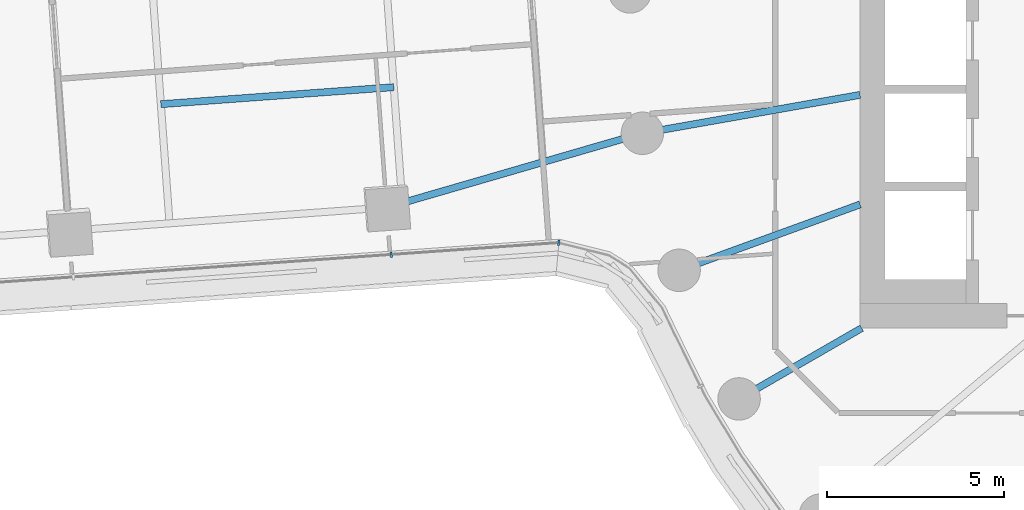
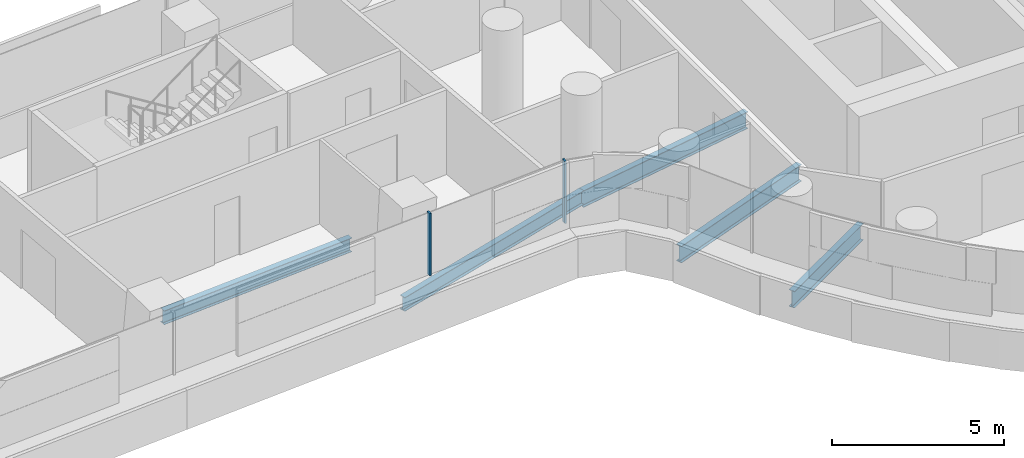
# One storey, part 5 of 31: 5 beams, 2 members, 2 elements without a shape of their own.
"""IFC4 building model written with IfcOpenShell, lengths in metres."""

from ifc_helpers import new_model, si_unit, direction, frame, origin, origin_2d, place, context, subcontext, project, spatial, rectangle, i_section, extrude, material, layer, layer_set, material_profile, profile_set, type_object, element, aggregate, save


model = new_model("IFC4")

# Units and contexts
model_context = context("Model", 3, precision=1e-05, world=origin(), true_north=direction((0.0, 1.0)))
body_context = subcontext(model_context, "Body", "Model", "MODEL_VIEW")
ifc_project = project(units=[si_unit("LENGTHUNIT", "METRE"), si_unit("AREAUNIT", "SQUARE_METRE"), si_unit("VOLUMEUNIT", "CUBIC_METRE"), si_unit("PLANEANGLEUNIT", "RADIAN"), si_unit("MASSUNIT", "GRAM", prefix="KILO")], contexts=[model_context])

# Site, building, storey
site_placement = place(None, origin())
site = spatial("IfcSite", under=ifc_project, at=site_placement, CompositionType="ELEMENT")
building_placement = place(site_placement, origin())
building = spatial("IfcBuilding", under=site, at=building_placement, Name="Tamarind Cross Interchange Tower", CompositionType="ELEMENT")
storey_placement = place(building_placement, frame((0.0, 0.0, 49.0)))
storey = spatial("IfcBuildingStorey", under=building, at=storey_placement, Name="L10", CompositionType="ELEMENT", Elevation=49.0)

# Beams
ifc_material_1 = material(Name="Steel Q355B", Category="steel")
ifc_material_profile_1 = material_profile(ifc_material_1, i_section(OverallWidth=0.198974609375, OverallDepth=0.49609375, WebThickness=0.009033203125, FlangeThickness=0.013916015625, FilletRadius=0.012939453125, at=origin_2d()), Name="HN 496x199x9x14")
ifc_profile_set_1 = profile_set([ifc_material_profile_1], Name="Steel Q355B")
beam_type_1 = type_object("IfcBeamType", Name="Composite beam HN 496x199x9x14 Q355B", PredefinedType="BEAM", material=ifc_profile_set_1)
beam_1_placement = place(storey_placement, frame((-29.877197265625, -6.09033203125, -0.387939453125), z_axis=(0.960403096334, 0.278614236089, 0.0), x_axis=(-0.278614236089, 0.960403096334, 0.0)))
element("IfcBeam", 1, at=beam_1_placement, inside=storey, type_object=beam_type_1, Name="Beam W-linkep", PredefinedType="BEAM", context=body_context, shape_type="SweptSolid", body=[
    extrude(i_section(OverallWidth=0.198974609375, OverallDepth=0.49609375, WebThickness=0.009033203125, FlangeThickness=0.013916015625, FilletRadius=0.012939453125, at=origin_2d()), origin(), (0.0, 0.0, 1.0), 7.5244140625),
])
beam_2_placement = place(storey_placement, frame((-29.67431640625, -2.69140625, -0.387939453125), z_axis=(-0.997341335164, -0.072871538843, 0.0), x_axis=(0.072871538843, -0.997341335164, 0.0)))
element("IfcBeam", 2, at=beam_2_placement, inside=storey, type_object=beam_type_1, Name="Beam W-stripp", PredefinedType="BEAM", context=body_context, shape_type="SweptSolid", body=[
    extrude(i_section(OverallWidth=0.198974609375, OverallDepth=0.49609375, WebThickness=0.009033203125, FlangeThickness=0.013916015625, FilletRadius=0.012939453125, at=origin_2d()), origin(), (0.0, 0.0, 1.0), 6.60009765625),
])
ifc_material_profile_2 = material_profile(ifc_material_1, i_section(OverallWidth=0.198974609375, OverallDepth=0.595947265625, WebThickness=0.010009765625, FlangeThickness=0.014892578125, FilletRadius=0.012939453125, at=origin_2d()), Name="HN 596x199x10x15")
ifc_profile_set_2 = profile_set([ifc_material_profile_2], Name="Steel Q355B")
beam_type_2 = type_object("IfcBeamType", Name="Composite beam HN 596x199x10x15 Q355B", PredefinedType="BEAM", material=ifc_profile_set_2)
beam_3_placement = place(storey_placement, frame((-22.650634765625, -3.993896484375, -0.43798828125), z_axis=(0.984809127561, 0.173640382036, 0.0), x_axis=(-0.173640382036, 0.984809127561, 0.0)))
element("IfcBeam", 3, at=beam_3_placement, inside=storey, type_object=beam_type_2, Name="Beam HH19", PredefinedType="BEAM", context=body_context, shape_type="SweptSolid", body=[
    extrude(i_section(OverallWidth=0.198974609375, OverallDepth=0.595947265625, WebThickness=0.010009765625, FlangeThickness=0.014892578125, FilletRadius=0.012939453125, at=origin_2d()), origin(), (0.0, 0.0, 1.0), 6.24560546875),
])
beam_4_placement = place(storey_placement, frame((-21.613037109375, -7.866455078125, -0.43798828125), z_axis=(0.939701685589, 0.341995236956, 0.0), x_axis=(-0.341995236956, 0.939701685589, 0.0)))
element("IfcBeam", 4, at=beam_4_placement, inside=storey, type_object=beam_type_2, Name="Beam HH20", PredefinedType="BEAM", context=body_context, shape_type="SweptSolid", body=[
    extrude(i_section(OverallWidth=0.198974609375, OverallDepth=0.595947265625, WebThickness=0.010009765625, FlangeThickness=0.014892578125, FilletRadius=0.012939453125, at=origin_2d()), origin(), (0.0, 0.0, 1.0), 5.441162109375),
])
beam_5_placement = place(storey_placement, frame((-19.918701171875, -11.5, -0.43798828125), z_axis=(0.866026010844, 0.49999894854, 0.0), x_axis=(-0.49999894854, 0.866026010844, 0.0)))
element("IfcBeam", 5, at=beam_5_placement, inside=storey, type_object=beam_type_2, Name="Beam HH21", PredefinedType="BEAM", context=body_context, shape_type="SweptSolid", body=[
    extrude(i_section(OverallWidth=0.198974609375, OverallDepth=0.595947265625, WebThickness=0.010009765625, FlangeThickness=0.014892578125, FilletRadius=0.012939453125, at=origin_2d()), origin(), (0.0, 0.0, 1.0), 4.0),
])

# Curtain wall, member
ifc_material_2 = material(Name="Aluminium 6063-T6", Category="aluminium")
ifc_layer = layer(ifc_material_2, 0.159912109375)
ifc_layer_set = layer_set([ifc_layer], Name="Aluminium 6063-T6")
curtain_wall_type = type_object("IfcCurtainWallType", Name="Office curtain wall, 9.0 m bays", PredefinedType="NOTDEFINED", material=ifc_layer_set)
curtain_wall_1_placement = place(storey_placement, origin())
curtain_wall_1 = element("IfcCurtainWall", 6, at=curtain_wall_1_placement, inside=storey, type_object=curtain_wall_type, Name="CWS-L10-05", PredefinedType="NOTDEFINED")
ifc_material_profile_3 = material_profile(ifc_material_2, rectangle(XDim=0.06005859375, YDim=0.159912109375, at=origin_2d()), Name="Mullion CW1")
ifc_profile_set_3 = profile_set([ifc_material_profile_3], Name="Aluminium 6063-T6")
member_type = type_object("IfcMemberType", Name="Mullion CW1", PredefinedType="MULLION", material=ifc_profile_set_3)
member_1_placement = place(storey_placement, frame((-29.748779296875, -7.42333984375, 1.39990234375), z_axis=(0.0, 0.0, 1.0), x_axis=(0.997505146966, 0.070593780008, 0.0)))
member_1 = element("IfcMember", 7, at=member_1_placement, type_object=member_type, Name="CWM-L10-05-02", PredefinedType="MULLION", context=body_context, shape_type="SweptSolid", body=[
    extrude(rectangle(XDim=0.06005859375, YDim=0.159912109375, at=origin_2d()), origin(), (0.0, 0.0, 1.0), 2.210205078125),
])
aggregate(curtain_wall_1, [member_1])

curtain_wall_2_placement = place(storey_placement, origin())
curtain_wall_2 = element("IfcCurtainWall", 8, at=curtain_wall_2_placement, inside=storey, type_object=curtain_wall_type, Name="CWS-L10-06", PredefinedType="NOTDEFINED")
member_2_placement = place(storey_placement, frame((-25.01025390625, -7.088134765625, 1.39990234375), z_axis=(0.0, 0.0, 1.0), x_axis=(0.996203394169, -0.087056288957, 0.0)))
member_2 = element("IfcMember", 9, at=member_2_placement, type_object=member_type, Name="CWM-L10-06-00", PredefinedType="MULLION", context=body_context, shape_type="SweptSolid", body=[
    extrude(rectangle(XDim=0.06005859375, YDim=0.159912109375, at=origin_2d()), origin(), (0.0, 0.0, 1.0), 2.210205078125),
])
aggregate(curtain_wall_2, [member_2])

save(model, "model.ifc")
